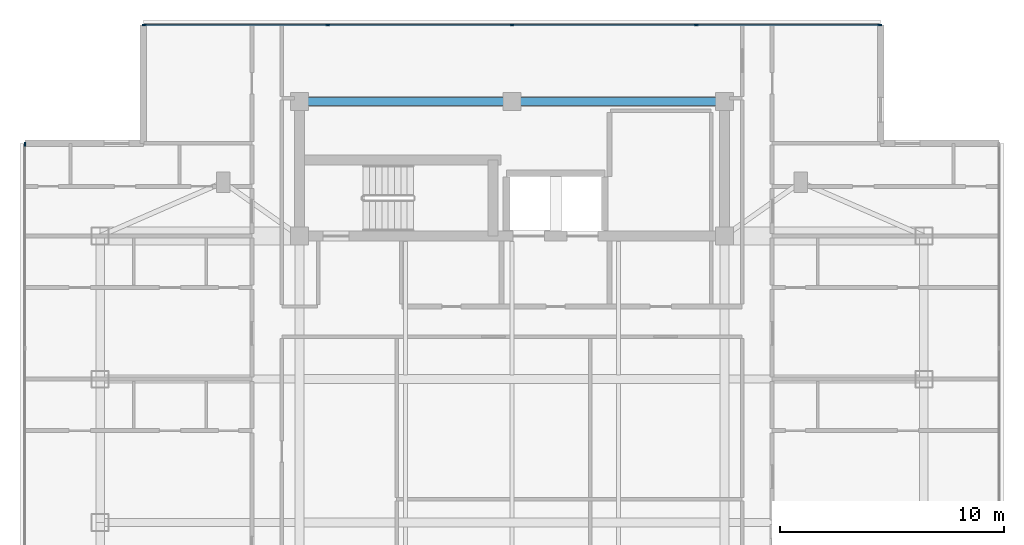
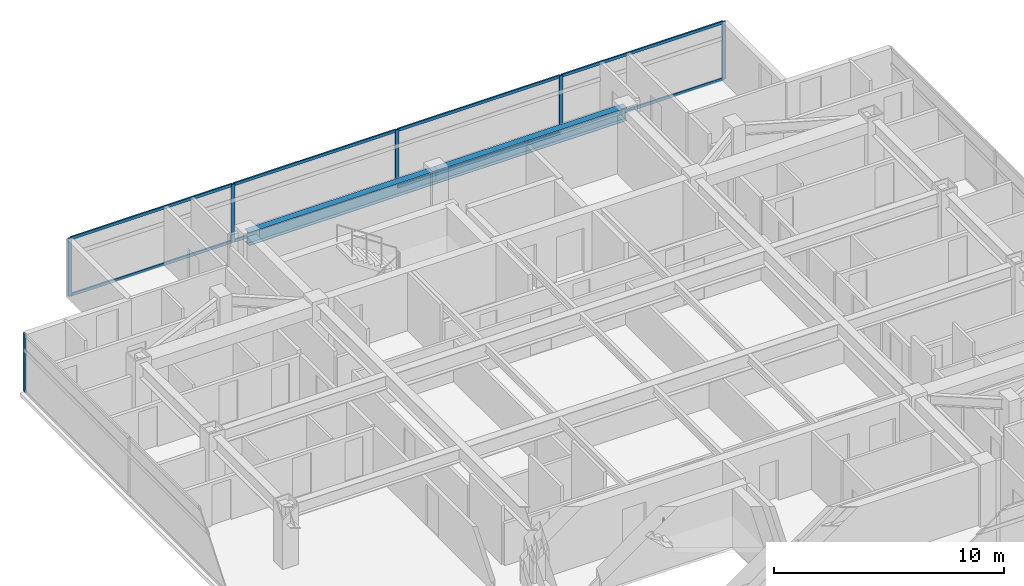
# One storey, part 5 of 14: 14 members, 2 beams, 2 elements without a shape of their own.
"""IFC4 building model written with IfcOpenShell, lengths in metres."""

from ifc_helpers import new_model, si_unit, direction, frame, origin, origin_2d, place, context, subcontext, project, spatial, rectangle, i_section, extrude, material, material_profile, profile_set, type_object, element, aggregate, save


model = new_model("IFC4")

# Units and contexts
model_context = context("Model", 3, precision=1e-05, world=origin(), true_north=direction((0.0, 1.0)))
body_context = subcontext(model_context, "Body", "Model", "MODEL_VIEW")
ifc_project = project(units=[si_unit("LENGTHUNIT", "METRE"), si_unit("AREAUNIT", "SQUARE_METRE"), si_unit("VOLUMEUNIT", "CUBIC_METRE"), si_unit("PLANEANGLEUNIT", "RADIAN"), si_unit("MASSUNIT", "GRAM", prefix="KILO")], contexts=[model_context])

# Site, building, storey
site_placement = place(None, origin())
site = spatial("IfcSite", under=ifc_project, at=site_placement, CompositionType="ELEMENT")
building_placement = place(site_placement, origin())
building = spatial("IfcBuilding", under=site, at=building_placement, Name="Mirazonda Arch Towers", CompositionType="ELEMENT")
storey_placement = place(building_placement, frame((0.0, 0.0, 239.199951171875)))
storey = spatial("IfcBuildingStorey", under=building, at=storey_placement, Name="L68", CompositionType="ELEMENT", Elevation=239.199951171875)

# Beams
ifc_material_1 = material(Name="Steel ASTM A992 Grade 50", Category="steel")
ifc_material_profile_1 = material_profile(ifc_material_1, i_section(OverallWidth=0.35498046875, OverallDepth=0.696044921875, WebThickness=0.015380859375, FlangeThickness=0.02490234375, at=origin_2d()), Name="W27X146")
ifc_profile_set_1 = profile_set([ifc_material_profile_1], Name="Steel ASTM A992 Grade 50")
beam_type = type_object("IfcBeamType", Name="BM-INT-W27X146", PredefinedType="BEAM", material=ifc_profile_set_1)
for number, where, z_axis, x_axis, name in (
    (1, (11.0, 43.60009765625, 2.751953125), (1.0, 0.0, 0.0), (0.0, 1.0, 0.0), "L68 Floor Beam BM-T1-L68-CN1"),
    (2, (20.5, 43.60009765625, 2.751953125), (1.0, 0.0, 0.0), (0.0, 1.0, 0.0), "L68 Floor Beam BM-T1-L68-CN2"),
):
    element("IfcBeam", number, at=place(storey_placement, frame(where, z_axis=z_axis, x_axis=x_axis)), inside=storey, type_object=beam_type, Name=name, PredefinedType="BEAM", context=body_context, shape_type="SweptSolid", body=[
        extrude(i_section(OverallWidth=0.35498046875, OverallDepth=0.696044921875, WebThickness=0.015380859375, FlangeThickness=0.02490234375, at=origin_2d()), origin(), (0.0, 0.0, 1.0), 9.5),
    ])

# Curtain wall, members
ifc_material_2 = material(Name="Anodised Aluminium and Low-E Glass", Category="aluminium")
curtain_wall_type = type_object("IfcCurtainWallType", Name="CW-RES-UNIT", PredefinedType="NOTDEFINED", material=ifc_material_2)
curtain_wall_1_placement = place(storey_placement, origin())
curtain_wall_1 = element("IfcCurtainWall", 3, at=curtain_wall_1_placement, inside=storey, type_object=curtain_wall_type, Name="L68 T1 N Facade CW-L68-T1-N", PredefinedType="NOTDEFINED")
ifc_material_3 = material(Name="Anodised Aluminium Alloy", Category="aluminium")
ifc_material_profile_2 = material_profile(ifc_material_3, rectangle(XDim=0.074951171875, YDim=0.175048828125, at=origin_2d()), Name="ALU-MULL-75x175")
ifc_profile_set_2 = profile_set([ifc_material_profile_2], Name="Anodised Aluminium Alloy")
member_type_1 = type_object("IfcMemberType", Name="MULL-CW-RES-UNIT", PredefinedType="MULLION", material=ifc_profile_set_2)
member_1_placement = place(storey_placement, frame((4.0673828125, 47.028076171875, 0.0), z_axis=(0.0, 0.0, 1.0), x_axis=(0.0, 1.0, 0.0)))
member_1 = element("IfcMember", 4, at=member_1_placement, type_object=member_type_1, Name="CW-104 mullion 1", PredefinedType="MULLION", context=body_context, shape_type="SweptSolid", body=[
    extrude(rectangle(XDim=0.074951171875, YDim=0.175048828125, at=origin_2d()), origin(), (0.0, 0.0, 1.0), 3.080078125),
])
member_2_placement = place(storey_placement, frame((12.264892578125, 47.028076171875, 0.0), z_axis=(0.0, 0.0, 1.0), x_axis=(0.0, 1.0, 0.0)))
member_2 = element("IfcMember", 5, at=member_2_placement, type_object=member_type_1, Name="CW-104 mullion 2", PredefinedType="MULLION", context=body_context, shape_type="SweptSolid", body=[
    extrude(rectangle(XDim=0.074951171875, YDim=0.175048828125, at=origin_2d()), origin(), (0.0, 0.0, 1.0), 3.080078125),
])
member_3_placement = place(storey_placement, frame((20.5, 47.028076171875, 0.0), z_axis=(0.0, 0.0, 1.0), x_axis=(0.0, 1.0, 0.0)))
member_3 = element("IfcMember", 6, at=member_3_placement, type_object=member_type_1, Name="CW-104 mullion 3", PredefinedType="MULLION", context=body_context, shape_type="SweptSolid", body=[
    extrude(rectangle(XDim=0.074951171875, YDim=0.175048828125, at=origin_2d()), origin(), (0.0, 0.0, 1.0), 3.080078125),
])
member_4_placement = place(storey_placement, frame((28.735107421875, 47.028076171875, 0.0), z_axis=(0.0, 0.0, 1.0), x_axis=(0.0, 1.0, 0.0)))
member_4 = element("IfcMember", 7, at=member_4_placement, type_object=member_type_1, Name="CW-104 mullion 4", PredefinedType="MULLION", context=body_context, shape_type="SweptSolid", body=[
    extrude(rectangle(XDim=0.074951171875, YDim=0.175048828125, at=origin_2d()), origin(), (0.0, 0.0, 1.0), 3.080078125),
])
member_5_placement = place(storey_placement, frame((36.9326171875, 47.028076171875, 0.0), z_axis=(0.0, 0.0, 1.0), x_axis=(0.0, 1.0, 0.0)))
member_5 = element("IfcMember", 8, at=member_5_placement, type_object=member_type_1, Name="CW-104 mullion 5", PredefinedType="MULLION", context=body_context, shape_type="SweptSolid", body=[
    extrude(rectangle(XDim=0.074951171875, YDim=0.175048828125, at=origin_2d()), origin(), (0.0, 0.0, 1.0), 3.080078125),
])

# Curtain wall, member
curtain_wall_2_placement = place(storey_placement, origin())
curtain_wall_2 = element("IfcCurtainWall", 9, at=curtain_wall_2_placement, inside=storey, type_object=curtain_wall_type, Name="L68 T1 W Facade CW-L68-T1-W", PredefinedType="NOTDEFINED")
member_6_placement = place(storey_placement, frame((-1.260009765625, 41.700439453125, 0.0), z_axis=(0.0, 0.0, 1.0), x_axis=(1.0, 0.0, 0.0)))
member_6 = element("IfcMember", 10, at=member_6_placement, type_object=member_type_1, Name="CW-104 mullion 1", PredefinedType="MULLION", context=body_context, shape_type="SweptSolid", body=[
    extrude(rectangle(XDim=0.074951171875, YDim=0.175048828125, at=origin_2d()), origin(), (0.0, 0.0, 1.0), 3.080078125),
])
aggregate(curtain_wall_2, [member_6])

# Member
ifc_material_profile_3 = material_profile(ifc_material_3, rectangle(XDim=0.074951171875, YDim=0.155029296875, at=origin_2d()), Name="ALU-TRAN-75x155")
ifc_profile_set_3 = profile_set([ifc_material_profile_3], Name="Anodised Aluminium Alloy")
member_type_2 = type_object("IfcMemberType", Name="TRAN-CW-RES-UNIT", PredefinedType="USERDEFINED", material=ifc_profile_set_3)
member_7_placement = place(storey_placement, frame((4.10498046875, 47.028076171875, 0.03759765625), z_axis=(1.0, 0.0, 0.0), x_axis=(0.0, 1.0, 0.0)))
member_7 = element("IfcMember", 11, at=member_7_placement, type_object=member_type_2, Name="CW-104 transom 1.1", ObjectType="TRANSOM", PredefinedType="USERDEFINED", context=body_context, shape_type="SweptSolid", body=[
    extrude(rectangle(XDim=0.074951171875, YDim=0.155029296875, at=origin_2d()), origin(), (0.0, 0.0, 1.0), 8.12255859375),
])

member_8_placement = place(storey_placement, frame((4.10498046875, 47.028076171875, 3.04248046875), z_axis=(1.0, 0.0, 0.0), x_axis=(0.0, 1.0, 0.0)))
member_8 = element("IfcMember", 12, at=member_8_placement, type_object=member_type_2, Name="CW-104 transom 1.2", ObjectType="TRANSOM", PredefinedType="USERDEFINED", context=body_context, shape_type="SweptSolid", body=[
    extrude(rectangle(XDim=0.074951171875, YDim=0.155029296875, at=origin_2d()), origin(), (0.0, 0.0, 1.0), 8.12255859375),
])

member_9_placement = place(storey_placement, frame((12.302490234375, 47.028076171875, 0.03759765625), z_axis=(1.0, 0.0, 0.0), x_axis=(0.0, 1.0, 0.0)))
member_9 = element("IfcMember", 13, at=member_9_placement, type_object=member_type_2, Name="CW-104 transom 2.1", ObjectType="TRANSOM", PredefinedType="USERDEFINED", context=body_context, shape_type="SweptSolid", body=[
    extrude(rectangle(XDim=0.074951171875, YDim=0.155029296875, at=origin_2d()), origin(), (0.0, 0.0, 1.0), 8.159912109375),
])

member_10_placement = place(storey_placement, frame((12.302490234375, 47.028076171875, 3.04248046875), z_axis=(1.0, 0.0, 0.0), x_axis=(0.0, 1.0, 0.0)))
member_10 = element("IfcMember", 14, at=member_10_placement, type_object=member_type_2, Name="CW-104 transom 2.2", ObjectType="TRANSOM", PredefinedType="USERDEFINED", context=body_context, shape_type="SweptSolid", body=[
    extrude(rectangle(XDim=0.074951171875, YDim=0.155029296875, at=origin_2d()), origin(), (0.0, 0.0, 1.0), 8.159912109375),
])

member_11_placement = place(storey_placement, frame((20.53759765625, 47.028076171875, 0.03759765625), z_axis=(1.0, 0.0, 0.0), x_axis=(0.0, 1.0, 0.0)))
member_11 = element("IfcMember", 15, at=member_11_placement, type_object=member_type_2, Name="CW-104 transom 3.1", ObjectType="TRANSOM", PredefinedType="USERDEFINED", context=body_context, shape_type="SweptSolid", body=[
    extrude(rectangle(XDim=0.074951171875, YDim=0.155029296875, at=origin_2d()), origin(), (0.0, 0.0, 1.0), 8.159912109375),
])

member_12_placement = place(storey_placement, frame((20.53759765625, 47.028076171875, 3.04248046875), z_axis=(1.0, 0.0, 0.0), x_axis=(0.0, 1.0, 0.0)))
member_12 = element("IfcMember", 16, at=member_12_placement, type_object=member_type_2, Name="CW-104 transom 3.2", ObjectType="TRANSOM", PredefinedType="USERDEFINED", context=body_context, shape_type="SweptSolid", body=[
    extrude(rectangle(XDim=0.074951171875, YDim=0.155029296875, at=origin_2d()), origin(), (0.0, 0.0, 1.0), 8.159912109375),
])

member_13_placement = place(storey_placement, frame((28.7724609375, 47.028076171875, 0.03759765625), z_axis=(1.0, 0.0, 0.0), x_axis=(0.0, 1.0, 0.0)))
member_13 = element("IfcMember", 17, at=member_13_placement, type_object=member_type_2, Name="CW-104 transom 4.1", ObjectType="TRANSOM", PredefinedType="USERDEFINED", context=body_context, shape_type="SweptSolid", body=[
    extrude(rectangle(XDim=0.074951171875, YDim=0.155029296875, at=origin_2d()), origin(), (0.0, 0.0, 1.0), 8.12255859375),
])

member_14_placement = place(storey_placement, frame((28.7724609375, 47.028076171875, 3.04248046875), z_axis=(1.0, 0.0, 0.0), x_axis=(0.0, 1.0, 0.0)))
member_14 = element("IfcMember", 18, at=member_14_placement, type_object=member_type_2, Name="CW-104 transom 4.2", ObjectType="TRANSOM", PredefinedType="USERDEFINED", context=body_context, shape_type="SweptSolid", body=[
    extrude(rectangle(XDim=0.074951171875, YDim=0.155029296875, at=origin_2d()), origin(), (0.0, 0.0, 1.0), 8.12255859375),
])

aggregate(curtain_wall_1, [member_1, member_2, member_3, member_4, member_5, member_7, member_8, member_9, member_10, member_11, member_12, member_13, member_14])

save(model, "model.ifc")
